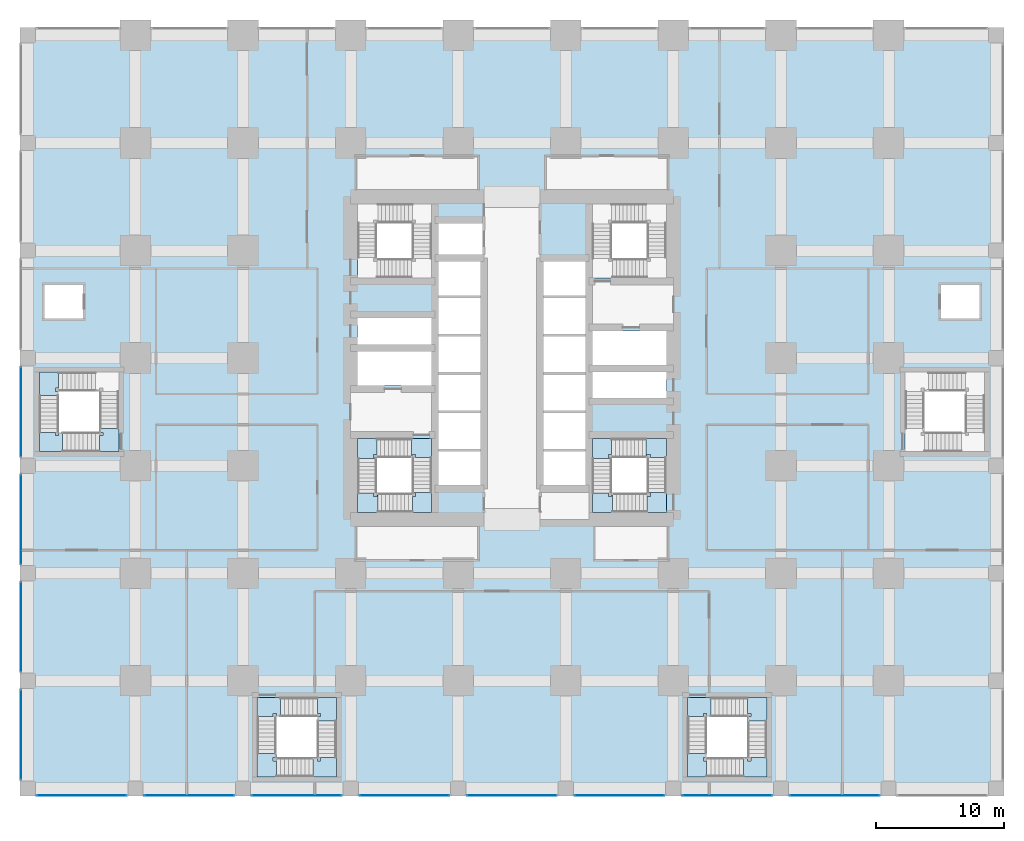
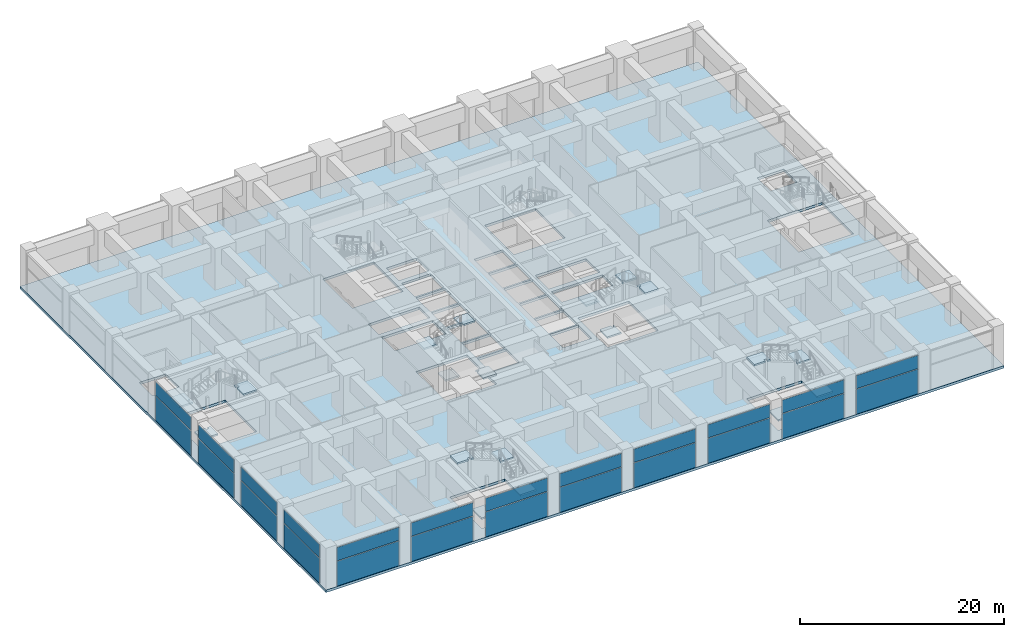
# One storey, part 34 of 49: 24 plates, 20 slabs, 17 elements without a shape of their own.
"""IFC4 building model written with IfcOpenShell, lengths in metres."""

from ifc_helpers import new_model, si_unit, direction, frame, origin, origin_2d, place, context, subcontext, project, spatial, polyline, rectangle, outline, extrude, material, layer, layer_set, type_object, element, aggregate, save


model = new_model("IFC4")

# Units and contexts
model_context = context("Model", 3, precision=1e-05, world=origin(), true_north=direction((0.0, 1.0)))
body_context = subcontext(model_context, "Body", "Model", "MODEL_VIEW")
ifc_project = project(units=[si_unit("LENGTHUNIT", "METRE"), si_unit("AREAUNIT", "SQUARE_METRE"), si_unit("VOLUMEUNIT", "CUBIC_METRE"), si_unit("PLANEANGLEUNIT", "RADIAN"), si_unit("MASSUNIT", "GRAM", prefix="KILO")], contexts=[model_context])

# Site, building, storey
site_placement = place(None, origin())
site = spatial("IfcSite", under=ifc_project, at=site_placement, CompositionType="ELEMENT")
building_placement = place(site_placement, origin())
building = spatial("IfcBuilding", under=site, at=building_placement, Name="Rekha Terrace Tower", CompositionType="ELEMENT")
storey_placement = place(building_placement, frame((0.0, 0.0, 5.39990234375)))
storey = spatial("IfcBuildingStorey", under=building, at=storey_placement, Name="L01", CompositionType="ELEMENT", Elevation=5.39990234375)

# Curtain wall, plates
ifc_material_1 = material(Name="Aluminium framing", Category="aluminium")
curtain_wall_type = type_object("IfcCurtainWallType", Name="CW4 podium shopfront glazing", PredefinedType="USERDEFINED", material=ifc_material_1)
curtain_wall_1_placement = place(storey_placement, origin())
curtain_wall_1 = element("IfcCurtainWall", 1, at=curtain_wall_1_placement, inside=storey, type_object=curtain_wall_type, Name="CW4 shopfront curtain wall", ObjectType="SHOPFRONT CURTAIN WALL", PredefinedType="USERDEFINED")
ifc_material_2 = material(Name="Laminated double-glazed unit 30", Category="glass")
ifc_layer_1 = layer(ifc_material_2, 0.030029296875)
ifc_layer_set_1 = layer_set([ifc_layer_1], Name="Laminated double-glazed unit 30")
plate_type = type_object("IfcPlateType", Name="CW4 jumbo vision panel, laminated double-glazed unit 30", PredefinedType="CURTAIN_PANEL", material=ifc_layer_set_1)
plate_1_placement = place(storey_placement, frame((4.199951171875, -0.5400390625, 0.000244140625), z_axis=(0.0, 0.0, 1.0), x_axis=(1.0, 0.0, 0.0)))
plate_1 = element("IfcPlate", 2, at=plate_1_placement, type_object=plate_type, Name="CW4 panel 1.1", PredefinedType="CURTAIN_PANEL", context=body_context, shape_type="SweptSolid", body=[
    extrude(rectangle(XDim=7.010009765625, YDim=0.030029296875, at=origin_2d()), origin(), (0.0, 0.0, 1.0), 2.96240234375),
])
plate_2_placement = place(storey_placement, frame((4.199951171875, -0.5400390625, 3.03759765625), z_axis=(0.0, 0.0, 1.0), x_axis=(1.0, 0.0, 0.0)))
plate_2 = element("IfcPlate", 3, at=plate_2_placement, type_object=plate_type, Name="CW4 panel 1.2", PredefinedType="CURTAIN_PANEL", context=body_context, shape_type="SweptSolid", body=[
    extrude(rectangle(XDim=7.010009765625, YDim=0.030029296875, at=origin_2d()), origin(), (0.0, 0.0, 1.0), 1.58740234375),
])
aggregate(curtain_wall_1, [plate_1, plate_2])

curtain_wall_2_placement = place(storey_placement, origin())
curtain_wall_2 = element("IfcCurtainWall", 4, at=curtain_wall_2_placement, inside=storey, type_object=curtain_wall_type, Name="CW4 shopfront curtain wall", ObjectType="SHOPFRONT CURTAIN WALL", PredefinedType="USERDEFINED")
plate_3_placement = place(storey_placement, frame((12.60009765625, -0.5400390625, 0.000244140625), z_axis=(0.0, 0.0, 1.0), x_axis=(1.0, 0.0, 0.0)))
plate_3 = element("IfcPlate", 5, at=plate_3_placement, type_object=plate_type, Name="CW4 panel 1.1", PredefinedType="CURTAIN_PANEL", context=body_context, shape_type="SweptSolid", body=[
    extrude(rectangle(XDim=7.010009765625, YDim=0.030029296875, at=origin_2d()), origin(), (0.0, 0.0, 1.0), 2.96240234375),
])
plate_4_placement = place(storey_placement, frame((12.60009765625, -0.5400390625, 3.03759765625), z_axis=(0.0, 0.0, 1.0), x_axis=(1.0, 0.0, 0.0)))
plate_4 = element("IfcPlate", 6, at=plate_4_placement, type_object=plate_type, Name="CW4 panel 1.2", PredefinedType="CURTAIN_PANEL", context=body_context, shape_type="SweptSolid", body=[
    extrude(rectangle(XDim=7.010009765625, YDim=0.030029296875, at=origin_2d()), origin(), (0.0, 0.0, 1.0), 1.58740234375),
])
aggregate(curtain_wall_2, [plate_3, plate_4])

curtain_wall_3_placement = place(storey_placement, origin())
curtain_wall_3 = element("IfcCurtainWall", 7, at=curtain_wall_3_placement, inside=storey, type_object=curtain_wall_type, Name="CW4 shopfront curtain wall", ObjectType="SHOPFRONT CURTAIN WALL", PredefinedType="USERDEFINED")
plate_5_placement = place(storey_placement, frame((21.0, -0.5400390625, 0.000244140625), z_axis=(0.0, 0.0, 1.0), x_axis=(1.0, 0.0, 0.0)))
plate_5 = element("IfcPlate", 8, at=plate_5_placement, type_object=plate_type, Name="CW4 panel 1.1", PredefinedType="CURTAIN_PANEL", context=body_context, shape_type="SweptSolid", body=[
    extrude(rectangle(XDim=7.010009765625, YDim=0.030029296875, at=origin_2d()), origin(), (0.0, 0.0, 1.0), 2.96240234375),
])
plate_6_placement = place(storey_placement, frame((21.0, -0.5400390625, 3.03759765625), z_axis=(0.0, 0.0, 1.0), x_axis=(1.0, 0.0, 0.0)))
plate_6 = element("IfcPlate", 9, at=plate_6_placement, type_object=plate_type, Name="CW4 panel 1.2", PredefinedType="CURTAIN_PANEL", context=body_context, shape_type="SweptSolid", body=[
    extrude(rectangle(XDim=7.010009765625, YDim=0.030029296875, at=origin_2d()), origin(), (0.0, 0.0, 1.0), 1.58740234375),
])
aggregate(curtain_wall_3, [plate_5, plate_6])

curtain_wall_4_placement = place(storey_placement, origin())
curtain_wall_4 = element("IfcCurtainWall", 10, at=curtain_wall_4_placement, inside=storey, type_object=curtain_wall_type, Name="CW4 shopfront curtain wall", ObjectType="SHOPFRONT CURTAIN WALL", PredefinedType="USERDEFINED")
plate_7_placement = place(storey_placement, frame((29.39990234375, -0.5400390625, 0.000244140625), z_axis=(0.0, 0.0, 1.0), x_axis=(1.0, 0.0, 0.0)))
plate_7 = element("IfcPlate", 11, at=plate_7_placement, type_object=plate_type, Name="CW4 panel 1.1", PredefinedType="CURTAIN_PANEL", context=body_context, shape_type="SweptSolid", body=[
    extrude(rectangle(XDim=7.010009765625, YDim=0.030029296875, at=origin_2d()), origin(), (0.0, 0.0, 1.0), 2.96240234375),
])
plate_8_placement = place(storey_placement, frame((29.39990234375, -0.5400390625, 3.03759765625), z_axis=(0.0, 0.0, 1.0), x_axis=(1.0, 0.0, 0.0)))
plate_8 = element("IfcPlate", 12, at=plate_8_placement, type_object=plate_type, Name="CW4 panel 1.2", PredefinedType="CURTAIN_PANEL", context=body_context, shape_type="SweptSolid", body=[
    extrude(rectangle(XDim=7.010009765625, YDim=0.030029296875, at=origin_2d()), origin(), (0.0, 0.0, 1.0), 1.58740234375),
])
aggregate(curtain_wall_4, [plate_7, plate_8])

curtain_wall_5_placement = place(storey_placement, origin())
curtain_wall_5 = element("IfcCurtainWall", 13, at=curtain_wall_5_placement, inside=storey, type_object=curtain_wall_type, Name="CW4 shopfront curtain wall", ObjectType="SHOPFRONT CURTAIN WALL", PredefinedType="USERDEFINED")
plate_9_placement = place(storey_placement, frame((37.800048828125, -0.5400390625, 0.000244140625), z_axis=(0.0, 0.0, 1.0), x_axis=(1.0, 0.0, 0.0)))
plate_9 = element("IfcPlate", 14, at=plate_9_placement, type_object=plate_type, Name="CW4 panel 1.1", PredefinedType="CURTAIN_PANEL", context=body_context, shape_type="SweptSolid", body=[
    extrude(rectangle(XDim=7.010009765625, YDim=0.030029296875, at=origin_2d()), origin(), (0.0, 0.0, 1.0), 2.96240234375),
])
plate_10_placement = place(storey_placement, frame((37.800048828125, -0.5400390625, 3.03759765625), z_axis=(0.0, 0.0, 1.0), x_axis=(1.0, 0.0, 0.0)))
plate_10 = element("IfcPlate", 15, at=plate_10_placement, type_object=plate_type, Name="CW4 panel 1.2", PredefinedType="CURTAIN_PANEL", context=body_context, shape_type="SweptSolid", body=[
    extrude(rectangle(XDim=7.010009765625, YDim=0.030029296875, at=origin_2d()), origin(), (0.0, 0.0, 1.0), 1.58740234375),
])
aggregate(curtain_wall_5, [plate_9, plate_10])

curtain_wall_6_placement = place(storey_placement, origin())
curtain_wall_6 = element("IfcCurtainWall", 16, at=curtain_wall_6_placement, inside=storey, type_object=curtain_wall_type, Name="CW4 shopfront curtain wall", ObjectType="SHOPFRONT CURTAIN WALL", PredefinedType="USERDEFINED")
plate_11_placement = place(storey_placement, frame((46.199951171875, -0.5400390625, 0.000244140625), z_axis=(0.0, 0.0, 1.0), x_axis=(1.0, 0.0, 0.0)))
plate_11 = element("IfcPlate", 17, at=plate_11_placement, type_object=plate_type, Name="CW4 panel 1.1", PredefinedType="CURTAIN_PANEL", context=body_context, shape_type="SweptSolid", body=[
    extrude(rectangle(XDim=7.010009765625, YDim=0.030029296875, at=origin_2d()), origin(), (0.0, 0.0, 1.0), 2.96240234375),
])
plate_12_placement = place(storey_placement, frame((46.199951171875, -0.5400390625, 3.03759765625), z_axis=(0.0, 0.0, 1.0), x_axis=(1.0, 0.0, 0.0)))
plate_12 = element("IfcPlate", 18, at=plate_12_placement, type_object=plate_type, Name="CW4 panel 1.2", PredefinedType="CURTAIN_PANEL", context=body_context, shape_type="SweptSolid", body=[
    extrude(rectangle(XDim=7.010009765625, YDim=0.030029296875, at=origin_2d()), origin(), (0.0, 0.0, 1.0), 1.58740234375),
])
aggregate(curtain_wall_6, [plate_11, plate_12])

curtain_wall_7_placement = place(storey_placement, origin())
curtain_wall_7 = element("IfcCurtainWall", 19, at=curtain_wall_7_placement, inside=storey, type_object=curtain_wall_type, Name="CW4 shopfront curtain wall", ObjectType="SHOPFRONT CURTAIN WALL", PredefinedType="USERDEFINED")
plate_13_placement = place(storey_placement, frame((54.60009765625, -0.5400390625, 0.000244140625), z_axis=(0.0, 0.0, 1.0), x_axis=(1.0, 0.0, 0.0)))
plate_13 = element("IfcPlate", 20, at=plate_13_placement, type_object=plate_type, Name="CW4 panel 1.1", PredefinedType="CURTAIN_PANEL", context=body_context, shape_type="SweptSolid", body=[
    extrude(rectangle(XDim=7.010009765625, YDim=0.030029296875, at=origin_2d()), origin(), (0.0, 0.0, 1.0), 2.96240234375),
])
plate_14_placement = place(storey_placement, frame((54.60009765625, -0.5400390625, 3.03759765625), z_axis=(0.0, 0.0, 1.0), x_axis=(1.0, 0.0, 0.0)))
plate_14 = element("IfcPlate", 21, at=plate_14_placement, type_object=plate_type, Name="CW4 panel 1.2", PredefinedType="CURTAIN_PANEL", context=body_context, shape_type="SweptSolid", body=[
    extrude(rectangle(XDim=7.010009765625, YDim=0.030029296875, at=origin_2d()), origin(), (0.0, 0.0, 1.0), 1.58740234375),
])
aggregate(curtain_wall_7, [plate_13, plate_14])

curtain_wall_8_placement = place(storey_placement, origin())
curtain_wall_8 = element("IfcCurtainWall", 22, at=curtain_wall_8_placement, inside=storey, type_object=curtain_wall_type, Name="CW4 shopfront curtain wall", ObjectType="SHOPFRONT CURTAIN WALL", PredefinedType="USERDEFINED")
plate_15_placement = place(storey_placement, frame((63.0, -0.5400390625, 0.000244140625), z_axis=(0.0, 0.0, 1.0), x_axis=(1.0, 0.0, 0.0)))
plate_15 = element("IfcPlate", 23, at=plate_15_placement, type_object=plate_type, Name="CW4 panel 1.1", PredefinedType="CURTAIN_PANEL", context=body_context, shape_type="SweptSolid", body=[
    extrude(rectangle(XDim=7.010009765625, YDim=0.030029296875, at=origin_2d()), origin(), (0.0, 0.0, 1.0), 2.96240234375),
])
plate_16_placement = place(storey_placement, frame((63.0, -0.5400390625, 3.03759765625), z_axis=(0.0, 0.0, 1.0), x_axis=(1.0, 0.0, 0.0)))
plate_16 = element("IfcPlate", 24, at=plate_16_placement, type_object=plate_type, Name="CW4 panel 1.2", PredefinedType="CURTAIN_PANEL", context=body_context, shape_type="SweptSolid", body=[
    extrude(rectangle(XDim=7.010009765625, YDim=0.030029296875, at=origin_2d()), origin(), (0.0, 0.0, 1.0), 1.58740234375),
])
aggregate(curtain_wall_8, [plate_15, plate_16])

curtain_wall_9_placement = place(storey_placement, origin())
curtain_wall_9 = element("IfcCurtainWall", 25, at=curtain_wall_9_placement, inside=storey, type_object=curtain_wall_type, Name="CW4 shopfront curtain wall", ObjectType="SHOPFRONT CURTAIN WALL", PredefinedType="USERDEFINED")
plate_17_placement = place(storey_placement, frame((-0.5400390625, 29.39990234375, 0.000244140625), z_axis=(0.0, 0.0, 1.0), x_axis=(0.0, -1.0, 0.0)))
plate_17 = element("IfcPlate", 26, at=plate_17_placement, type_object=plate_type, Name="CW4 panel 1.1", PredefinedType="CURTAIN_PANEL", context=body_context, shape_type="SweptSolid", body=[
    extrude(rectangle(XDim=7.010009765625, YDim=0.030029296875, at=origin_2d()), origin(), (0.0, 0.0, 1.0), 2.96240234375),
])
plate_18_placement = place(storey_placement, frame((-0.5400390625, 29.39990234375, 3.03759765625), z_axis=(0.0, 0.0, 1.0), x_axis=(0.0, -1.0, 0.0)))
plate_18 = element("IfcPlate", 27, at=plate_18_placement, type_object=plate_type, Name="CW4 panel 1.2", PredefinedType="CURTAIN_PANEL", context=body_context, shape_type="SweptSolid", body=[
    extrude(rectangle(XDim=7.010009765625, YDim=0.030029296875, at=origin_2d()), origin(), (0.0, 0.0, 1.0), 1.58740234375),
])
aggregate(curtain_wall_9, [plate_17, plate_18])

curtain_wall_10_placement = place(storey_placement, origin())
curtain_wall_10 = element("IfcCurtainWall", 28, at=curtain_wall_10_placement, inside=storey, type_object=curtain_wall_type, Name="CW4 shopfront curtain wall", ObjectType="SHOPFRONT CURTAIN WALL", PredefinedType="USERDEFINED")
plate_19_placement = place(storey_placement, frame((-0.5400390625, 21.0, 0.000244140625), z_axis=(0.0, 0.0, 1.0), x_axis=(0.0, -1.0, 0.0)))
plate_19 = element("IfcPlate", 29, at=plate_19_placement, type_object=plate_type, Name="CW4 panel 1.1", PredefinedType="CURTAIN_PANEL", context=body_context, shape_type="SweptSolid", body=[
    extrude(rectangle(XDim=7.010009765625, YDim=0.030029296875, at=origin_2d()), origin(), (0.0, 0.0, 1.0), 2.96240234375),
])
plate_20_placement = place(storey_placement, frame((-0.5400390625, 21.0, 3.03759765625), z_axis=(0.0, 0.0, 1.0), x_axis=(0.0, -1.0, 0.0)))
plate_20 = element("IfcPlate", 30, at=plate_20_placement, type_object=plate_type, Name="CW4 panel 1.2", PredefinedType="CURTAIN_PANEL", context=body_context, shape_type="SweptSolid", body=[
    extrude(rectangle(XDim=7.010009765625, YDim=0.030029296875, at=origin_2d()), origin(), (0.0, 0.0, 1.0), 1.58740234375),
])
aggregate(curtain_wall_10, [plate_19, plate_20])

curtain_wall_11_placement = place(storey_placement, origin())
curtain_wall_11 = element("IfcCurtainWall", 31, at=curtain_wall_11_placement, inside=storey, type_object=curtain_wall_type, Name="CW4 shopfront curtain wall", ObjectType="SHOPFRONT CURTAIN WALL", PredefinedType="USERDEFINED")
plate_21_placement = place(storey_placement, frame((-0.5400390625, 12.60009765625, 0.000244140625), z_axis=(0.0, 0.0, 1.0), x_axis=(0.0, -1.0, 0.0)))
plate_21 = element("IfcPlate", 32, at=plate_21_placement, type_object=plate_type, Name="CW4 panel 1.1", PredefinedType="CURTAIN_PANEL", context=body_context, shape_type="SweptSolid", body=[
    extrude(rectangle(XDim=7.010009765625, YDim=0.030029296875, at=origin_2d()), origin(), (0.0, 0.0, 1.0), 2.96240234375),
])
plate_22_placement = place(storey_placement, frame((-0.5400390625, 12.60009765625, 3.03759765625), z_axis=(0.0, 0.0, 1.0), x_axis=(0.0, -1.0, 0.0)))
plate_22 = element("IfcPlate", 33, at=plate_22_placement, type_object=plate_type, Name="CW4 panel 1.2", PredefinedType="CURTAIN_PANEL", context=body_context, shape_type="SweptSolid", body=[
    extrude(rectangle(XDim=7.010009765625, YDim=0.030029296875, at=origin_2d()), origin(), (0.0, 0.0, 1.0), 1.58740234375),
])
aggregate(curtain_wall_11, [plate_21, plate_22])

curtain_wall_12_placement = place(storey_placement, origin())
curtain_wall_12 = element("IfcCurtainWall", 34, at=curtain_wall_12_placement, inside=storey, type_object=curtain_wall_type, Name="CW4 shopfront curtain wall", ObjectType="SHOPFRONT CURTAIN WALL", PredefinedType="USERDEFINED")
plate_23_placement = place(storey_placement, frame((-0.5400390625, 4.199951171875, 0.000244140625), z_axis=(0.0, 0.0, 1.0), x_axis=(0.0, -1.0, 0.0)))
plate_23 = element("IfcPlate", 35, at=plate_23_placement, type_object=plate_type, Name="CW4 panel 1.1", PredefinedType="CURTAIN_PANEL", context=body_context, shape_type="SweptSolid", body=[
    extrude(rectangle(XDim=7.010009765625, YDim=0.030029296875, at=origin_2d()), origin(), (0.0, 0.0, 1.0), 2.96240234375),
])
plate_24_placement = place(storey_placement, frame((-0.5400390625, 4.199951171875, 3.03759765625), z_axis=(0.0, 0.0, 1.0), x_axis=(0.0, -1.0, 0.0)))
plate_24 = element("IfcPlate", 36, at=plate_24_placement, type_object=plate_type, Name="CW4 panel 1.2", PredefinedType="CURTAIN_PANEL", context=body_context, shape_type="SweptSolid", body=[
    extrude(rectangle(XDim=7.010009765625, YDim=0.030029296875, at=origin_2d()), origin(), (0.0, 0.0, 1.0), 1.58740234375),
])
aggregate(curtain_wall_12, [plate_23, plate_24])

# Stair, slabs
ifc_material_3 = material(Name="Concrete M40", Category="concrete")
stair_type_1 = type_object("IfcStairType", Name="ST40 stair, 40 risers of 125, going 320, 1500 wide flights, 4 flights", PredefinedType="QUARTER_TURN_STAIR", material=ifc_material_3)
stair_1_placement = place(storey_placement, origin())
stair_1 = element("IfcStair", 37, at=stair_1_placement, inside=storey, type_object=stair_type_1, Name="Stair SP1 L01 to L02", PredefinedType="QUARTER_TURN_STAIR")
ifc_layer_2 = layer(ifc_material_3, 0.199951171875)
ifc_layer_set_2 = layer_set([ifc_layer_2], Name="Concrete M40")
slab_type_1 = type_object("IfcSlabType", Name="LD1 200 concrete stair landing", PredefinedType="LANDING", material=ifc_layer_set_2)
slab_1_placement = place(storey_placement, frame((0.0, 0.0, 1.050048828125)))
slab_1 = element("IfcSlab", 38, at=slab_1_placement, type_object=slab_type_1, Name="SP1 landing 1", PredefinedType="LANDING", context=body_context, shape_type="SweptSolid", body=[
    extrude(outline(polyline([(0.89990234375, 27.800048828125), (0.89990234375, 26.300048828125), (2.719970703125, 26.300048828125), (2.719970703125, 27.800048828125), (2.39990234375, 27.800048828125), (2.39990234375, 27.550048828125), (2.14990234375, 27.550048828125), (2.14990234375, 27.800048828125), (0.89990234375, 27.800048828125)])), origin(), (0.0, 0.0, 1.0), 0.199951171875),
])
slab_2_placement = place(storey_placement, frame((0.0, 0.0, 2.300048828125)))
slab_2 = element("IfcSlab", 39, at=slab_2_placement, type_object=slab_type_1, Name="SP1 landing 2", PredefinedType="LANDING", context=body_context, shape_type="SweptSolid", body=[
    extrude(outline(polyline([(2.39990234375, 32.5), (0.89990234375, 32.5), (0.89990234375, 30.679931640625), (2.39990234375, 30.679931640625), (2.39990234375, 31.0), (2.14990234375, 31.0), (2.14990234375, 31.25), (2.39990234375, 31.25), (2.39990234375, 32.5)])), origin(), (0.0, 0.0, 1.0), 0.199951171875),
])
slab_3_placement = place(storey_placement, frame((0.0, 0.0, 4.800048828125)))
slab_3 = element("IfcSlab", 40, at=slab_3_placement, type_object=slab_type_1, Name="SP1 landing 4", PredefinedType="LANDING", context=body_context, shape_type="SweptSolid", body=[
    extrude(outline(polyline([(5.60009765625, 26.300048828125), (7.10009765625, 26.300048828125), (7.10009765625, 28.1201171875), (5.60009765625, 28.1201171875), (5.60009765625, 27.800048828125), (5.85009765625, 27.800048828125), (5.85009765625, 27.550048828125), (5.60009765625, 27.550048828125), (5.60009765625, 26.300048828125)])), origin(), (0.0, 0.0, 1.0), 0.199951171875),
])
aggregate(stair_1, [slab_1, slab_2, slab_3])

stair_2_placement = place(storey_placement, origin())
stair_2 = element("IfcStair", 41, at=stair_2_placement, inside=storey, type_object=stair_type_1, Name="Stair SP3 L01 to L02", PredefinedType="QUARTER_TURN_STAIR")
slab_4_placement = place(storey_placement, frame((0.0, 0.0, 1.050048828125)))
slab_4 = element("IfcSlab", 42, at=slab_4_placement, type_object=slab_type_1, Name="SP3 landing 1", PredefinedType="LANDING", context=body_context, shape_type="SweptSolid", body=[
    extrude(outline(polyline([(19.39990234375, 0.89990234375), (17.89990234375, 0.89990234375), (17.89990234375, 2.719970703125), (19.39990234375, 2.719970703125), (19.39990234375, 2.39990234375), (19.14990234375, 2.39990234375), (19.14990234375, 2.14990234375), (19.39990234375, 2.14990234375), (19.39990234375, 0.89990234375)])), origin(), (0.0, 0.0, 1.0), 0.199951171875),
])
slab_5_placement = place(storey_placement, frame((0.0, 0.0, 2.300048828125)))
slab_5 = element("IfcSlab", 43, at=slab_5_placement, type_object=slab_type_1, Name="SP3 landing 2", PredefinedType="LANDING", context=body_context, shape_type="SweptSolid", body=[
    extrude(outline(polyline([(24.10009765625, 2.39990234375), (24.10009765625, 0.89990234375), (22.280029296875, 0.89990234375), (22.280029296875, 2.39990234375), (22.60009765625, 2.39990234375), (22.60009765625, 2.14990234375), (22.85009765625, 2.14990234375), (22.85009765625, 2.39990234375), (24.10009765625, 2.39990234375)])), origin(), (0.0, 0.0, 1.0), 0.199951171875),
])
slab_6_placement = place(storey_placement, frame((0.0, 0.0, 3.550048828125)))
slab_6 = element("IfcSlab", 44, at=slab_6_placement, type_object=slab_type_1, Name="SP3 landing 3", PredefinedType="LANDING", context=body_context, shape_type="SweptSolid", body=[
    extrude(outline(polyline([(22.60009765625, 7.10009765625), (24.10009765625, 7.10009765625), (24.10009765625, 5.280029296875), (22.60009765625, 5.280029296875), (22.60009765625, 5.60009765625), (22.85009765625, 5.60009765625), (22.85009765625, 5.85009765625), (22.60009765625, 5.85009765625), (22.60009765625, 7.10009765625)])), origin(), (0.0, 0.0, 1.0), 0.199951171875),
])
slab_7_placement = place(storey_placement, frame((0.0, 0.0, 4.800048828125)))
slab_7 = element("IfcSlab", 45, at=slab_7_placement, type_object=slab_type_1, Name="SP3 landing 4", PredefinedType="LANDING", context=body_context, shape_type="SweptSolid", body=[
    extrude(outline(polyline([(17.89990234375, 5.60009765625), (17.89990234375, 7.10009765625), (19.719970703125, 7.10009765625), (19.719970703125, 5.60009765625), (19.39990234375, 5.60009765625), (19.39990234375, 5.85009765625), (19.14990234375, 5.85009765625), (19.14990234375, 5.60009765625), (17.89990234375, 5.60009765625)])), origin(), (0.0, 0.0, 1.0), 0.199951171875),
])
aggregate(stair_2, [slab_4, slab_5, slab_6, slab_7])

stair_3_placement = place(storey_placement, origin())
stair_3 = element("IfcStair", 46, at=stair_3_placement, inside=storey, type_object=stair_type_1, Name="Stair SP4 L01 to L02", PredefinedType="QUARTER_TURN_STAIR")
slab_8_placement = place(storey_placement, frame((0.0, 0.0, 1.050048828125)))
slab_8 = element("IfcSlab", 47, at=slab_8_placement, type_object=slab_type_1, Name="SP4 landing 1", PredefinedType="LANDING", context=body_context, shape_type="SweptSolid", body=[
    extrude(outline(polyline([(53.0, 0.89990234375), (51.5, 0.89990234375), (51.5, 2.719970703125), (53.0, 2.719970703125), (53.0, 2.39990234375), (52.75, 2.39990234375), (52.75, 2.14990234375), (53.0, 2.14990234375), (53.0, 0.89990234375)])), origin(), (0.0, 0.0, 1.0), 0.199951171875),
])
slab_9_placement = place(storey_placement, frame((0.0, 0.0, 2.300048828125)))
slab_9 = element("IfcSlab", 48, at=slab_9_placement, type_object=slab_type_1, Name="SP4 landing 2", PredefinedType="LANDING", context=body_context, shape_type="SweptSolid", body=[
    extrude(outline(polyline([(57.699951171875, 2.39990234375), (57.699951171875, 0.89990234375), (55.8798828125, 0.89990234375), (55.8798828125, 2.39990234375), (56.199951171875, 2.39990234375), (56.199951171875, 2.14990234375), (56.449951171875, 2.14990234375), (56.449951171875, 2.39990234375), (57.699951171875, 2.39990234375)])), origin(), (0.0, 0.0, 1.0), 0.199951171875),
])
slab_10_placement = place(storey_placement, frame((0.0, 0.0, 3.550048828125)))
slab_10 = element("IfcSlab", 49, at=slab_10_placement, type_object=slab_type_1, Name="SP4 landing 3", PredefinedType="LANDING", context=body_context, shape_type="SweptSolid", body=[
    extrude(outline(polyline([(56.199951171875, 7.10009765625), (57.699951171875, 7.10009765625), (57.699951171875, 5.280029296875), (56.199951171875, 5.280029296875), (56.199951171875, 5.60009765625), (56.449951171875, 5.60009765625), (56.449951171875, 5.85009765625), (56.199951171875, 5.85009765625), (56.199951171875, 7.10009765625)])), origin(), (0.0, 0.0, 1.0), 0.199951171875),
])
slab_11_placement = place(storey_placement, frame((0.0, 0.0, 4.800048828125)))
slab_11 = element("IfcSlab", 50, at=slab_11_placement, type_object=slab_type_1, Name="SP4 landing 4", PredefinedType="LANDING", context=body_context, shape_type="SweptSolid", body=[
    extrude(outline(polyline([(51.5, 5.60009765625), (51.5, 7.10009765625), (53.320068359375, 7.10009765625), (53.320068359375, 5.60009765625), (53.0, 5.60009765625), (53.0, 5.85009765625), (52.75, 5.85009765625), (52.75, 5.60009765625), (51.5, 5.60009765625)])), origin(), (0.0, 0.0, 1.0), 0.199951171875),
])
aggregate(stair_3, [slab_8, slab_9, slab_10, slab_11])

stair_type_2 = type_object("IfcStairType", Name="ST40 stair, 40 risers of 125, going 300, 1500 wide flights, 4 flights", PredefinedType="QUARTER_TURN_STAIR", material=ifc_material_3)
stair_4_placement = place(storey_placement, origin())
stair_4 = element("IfcStair", 51, at=stair_4_placement, inside=storey, type_object=stair_type_2, Name="Stair ST1 L01 to L02", PredefinedType="QUARTER_TURN_STAIR")
slab_12_placement = place(storey_placement, frame((0.0, 0.0, 1.050048828125)))
slab_12 = element("IfcSlab", 52, at=slab_12_placement, type_object=slab_type_1, Name="ST1 landing 1", PredefinedType="LANDING", context=body_context, shape_type="SweptSolid", body=[
    extrude(outline(polyline([(30.02490234375, 21.550048828125), (31.52490234375, 21.550048828125), (31.52490234375, 23.125), (30.02490234375, 23.125), (30.02490234375, 23.050048828125), (30.27490234375, 23.050048828125), (30.27490234375, 22.800048828125), (30.02490234375, 22.800048828125), (30.02490234375, 21.550048828125)])), origin(), (0.0, 0.0, 1.0), 0.199951171875),
])
slab_13_placement = place(storey_placement, frame((0.0, 0.0, 2.300048828125)))
slab_13 = element("IfcSlab", 53, at=slab_13_placement, type_object=slab_type_1, Name="ST1 landing 2", PredefinedType="LANDING", context=body_context, shape_type="SweptSolid", body=[
    extrude(outline(polyline([(25.75, 23.050048828125), (25.75, 21.550048828125), (27.324951171875, 21.550048828125), (27.324951171875, 23.050048828125), (27.25, 23.050048828125), (27.25, 22.800048828125), (27.0, 22.800048828125), (27.0, 23.050048828125), (25.75, 23.050048828125)])), origin(), (0.0, 0.0, 1.0), 0.199951171875),
])
slab_14_placement = place(storey_placement, frame((0.0, 0.0, 3.550048828125)))
slab_14 = element("IfcSlab", 54, at=slab_14_placement, type_object=slab_type_1, Name="ST1 landing 3", PredefinedType="LANDING", context=body_context, shape_type="SweptSolid", body=[
    extrude(outline(polyline([(27.25, 27.324951171875), (25.75, 27.324951171875), (25.75, 25.75), (27.25, 25.75), (27.25, 25.824951171875), (27.0, 25.824951171875), (27.0, 26.074951171875), (27.25, 26.074951171875), (27.25, 27.324951171875)])), origin(), (0.0, 0.0, 1.0), 0.199951171875),
])
slab_15_placement = place(storey_placement, frame((0.0, 0.0, 4.800048828125)))
slab_15 = element("IfcSlab", 55, at=slab_15_placement, type_object=slab_type_1, Name="ST1 landing 4", PredefinedType="LANDING", context=body_context, shape_type="SweptSolid", body=[
    extrude(outline(polyline([(31.52490234375, 25.824951171875), (31.52490234375, 27.324951171875), (29.949951171875, 27.324951171875), (29.949951171875, 25.824951171875), (30.02490234375, 25.824951171875), (30.02490234375, 26.074951171875), (30.27490234375, 26.074951171875), (30.27490234375, 25.824951171875), (31.52490234375, 25.824951171875)])), origin(), (0.0, 0.0, 1.0), 0.199951171875),
])
aggregate(stair_4, [slab_12, slab_13, slab_14, slab_15])

stair_5_placement = place(storey_placement, origin())
stair_5 = element("IfcStair", 56, at=stair_5_placement, inside=storey, type_object=stair_type_2, Name="Stair ST3 L01 to L02", PredefinedType="QUARTER_TURN_STAIR")
slab_16_placement = place(storey_placement, frame((0.0, 0.0, 1.050048828125)))
slab_16 = element("IfcSlab", 57, at=slab_16_placement, type_object=slab_type_1, Name="ST3 landing 1", PredefinedType="LANDING", context=body_context, shape_type="SweptSolid", body=[
    extrude(outline(polyline([(44.074951171875, 23.050048828125), (44.074951171875, 21.550048828125), (45.64990234375, 21.550048828125), (45.64990234375, 23.050048828125), (45.574951171875, 23.050048828125), (45.574951171875, 22.800048828125), (45.324951171875, 22.800048828125), (45.324951171875, 23.050048828125), (44.074951171875, 23.050048828125)])), origin(), (0.0, 0.0, 1.0), 0.199951171875),
])
slab_17_placement = place(storey_placement, frame((0.0, 0.0, 2.300048828125)))
slab_17 = element("IfcSlab", 58, at=slab_17_placement, type_object=slab_type_1, Name="ST3 landing 2", PredefinedType="LANDING", context=body_context, shape_type="SweptSolid", body=[
    extrude(outline(polyline([(45.574951171875, 27.324951171875), (44.074951171875, 27.324951171875), (44.074951171875, 25.75), (45.574951171875, 25.75), (45.574951171875, 25.824951171875), (45.324951171875, 25.824951171875), (45.324951171875, 26.074951171875), (45.574951171875, 26.074951171875), (45.574951171875, 27.324951171875)])), origin(), (0.0, 0.0, 1.0), 0.199951171875),
])
slab_18_placement = place(storey_placement, frame((0.0, 0.0, 3.550048828125)))
slab_18 = element("IfcSlab", 59, at=slab_18_placement, type_object=slab_type_1, Name="ST3 landing 3", PredefinedType="LANDING", context=body_context, shape_type="SweptSolid", body=[
    extrude(outline(polyline([(49.85009765625, 25.824951171875), (49.85009765625, 27.324951171875), (48.27490234375, 27.324951171875), (48.27490234375, 25.824951171875), (48.35009765625, 25.824951171875), (48.35009765625, 26.074951171875), (48.60009765625, 26.074951171875), (48.60009765625, 25.824951171875), (49.85009765625, 25.824951171875)])), origin(), (0.0, 0.0, 1.0), 0.199951171875),
])
slab_19_placement = place(storey_placement, frame((0.0, 0.0, 4.800048828125)))
slab_19 = element("IfcSlab", 60, at=slab_19_placement, type_object=slab_type_1, Name="ST3 landing 4", PredefinedType="LANDING", context=body_context, shape_type="SweptSolid", body=[
    extrude(outline(polyline([(48.35009765625, 21.550048828125), (49.85009765625, 21.550048828125), (49.85009765625, 23.125), (48.35009765625, 23.125), (48.35009765625, 23.050048828125), (48.60009765625, 23.050048828125), (48.60009765625, 22.800048828125), (48.35009765625, 22.800048828125), (48.35009765625, 21.550048828125)])), origin(), (0.0, 0.0, 1.0), 0.199951171875),
])
aggregate(stair_5, [slab_16, slab_17, slab_18, slab_19])

# Slab
ifc_material_4 = material(Name="Concrete M50", Category="concrete")
ifc_layer_3 = layer(ifc_material_4, 0.300048828125)
ifc_layer_set_3 = layer_set([ifc_layer_3], Name="Concrete M50")
slab_type_2 = type_object("IfcSlabType", Name="SL2 300 podium floor slab", PredefinedType="FLOOR", material=ifc_layer_set_3)
slab_20_placement = place(storey_placement, frame((0.0, 0.0, -0.2998046875)))
element("IfcSlab", 61, at=slab_20_placement, inside=storey, type_object=slab_type_2, Name="Podium floor slab L01", PredefinedType="FLOOR", context=body_context, shape_type="SweptSolid", body=[
    extrude(outline(polyline([(-0.60009765625, 59.39990234375), (-0.60009765625, -0.60009765625), (76.199951171875, -0.60009765625), (76.199951171875, 59.39990234375), (-0.60009765625, 59.39990234375)]), holes=[polyline([(24.10009765625, 7.10009765625), (24.10009765625, 0.89990234375), (17.89990234375, 0.89990234375), (17.89990234375, 7.10009765625), (24.10009765625, 7.10009765625)]), polyline([(31.52490234375, 21.550048828125), (25.75, 21.550048828125), (25.75, 27.324951171875), (31.52490234375, 27.324951171875), (31.52490234375, 21.550048828125)]), polyline([(35.324951171875, 23.675048828125), (32.074951171875, 23.675048828125), (32.074951171875, 26.300048828125), (35.324951171875, 26.300048828125), (35.324951171875, 23.675048828125)]), polyline([(35.324951171875, 29.300048828125), (35.324951171875, 26.5), (32.074951171875, 26.5), (32.074951171875, 29.300048828125), (35.324951171875, 29.300048828125)]), polyline([(7.10009765625, 26.300048828125), (0.89990234375, 26.300048828125), (0.89990234375, 32.5), (7.10009765625, 32.5), (7.10009765625, 26.300048828125)]), polyline([(35.324951171875, 29.5), (32.074951171875, 29.5), (32.074951171875, 32.300048828125), (35.324951171875, 32.300048828125), (35.324951171875, 29.5)]), polyline([(31.52490234375, 34.125), (31.52490234375, 31.47509765625), (25.75, 31.47509765625), (25.75, 34.125), (31.52490234375, 34.125)]), polyline([(35.324951171875, 32.5), (32.074951171875, 32.5), (32.074951171875, 35.300048828125), (35.324951171875, 35.300048828125), (35.324951171875, 32.5)]), polyline([(31.52490234375, 34.675048828125), (25.75, 34.675048828125), (25.75, 36.72509765625), (31.52490234375, 36.72509765625), (31.52490234375, 34.675048828125)]), polyline([(35.324951171875, 35.5), (32.074951171875, 35.5), (32.074951171875, 38.300048828125), (35.324951171875, 38.300048828125), (35.324951171875, 35.5)]), polyline([(4.300048828125, 36.699951171875), (1.300048828125, 36.699951171875), (1.300048828125, 39.300048828125), (4.300048828125, 39.300048828125), (4.300048828125, 36.699951171875)]), polyline([(35.324951171875, 38.5), (32.074951171875, 38.5), (32.074951171875, 41.125), (35.324951171875, 41.125), (35.324951171875, 38.5)]), polyline([(31.52490234375, 39.875), (25.75, 39.875), (25.75, 45.64990234375), (31.52490234375, 45.64990234375), (31.52490234375, 39.875)]), polyline([(35.5, 44.125), (35.5, 41.675048828125), (32.074951171875, 41.675048828125), (32.074951171875, 44.125), (35.5, 44.125)]), polyline([(57.699951171875, 0.89990234375), (51.5, 0.89990234375), (51.5, 7.10009765625), (57.699951171875, 7.10009765625), (57.699951171875, 0.89990234375)]), polyline([(49.85009765625, 21.550048828125), (44.074951171875, 21.550048828125), (44.074951171875, 27.324951171875), (49.85009765625, 27.324951171875), (49.85009765625, 21.550048828125)]), polyline([(43.52490234375, 23.675048828125), (40.27490234375, 23.675048828125), (40.27490234375, 26.300048828125), (43.52490234375, 26.300048828125), (43.52490234375, 23.675048828125)]), polyline([(43.52490234375, 26.5), (40.27490234375, 26.5), (40.27490234375, 29.300048828125), (43.52490234375, 29.300048828125), (43.52490234375, 26.5)]), polyline([(74.699951171875, 26.300048828125), (68.5, 26.300048828125), (68.5, 32.5), (74.699951171875, 32.5), (74.699951171875, 26.300048828125)]), polyline([(43.52490234375, 29.5), (40.27490234375, 29.5), (40.27490234375, 32.300048828125), (43.52490234375, 32.300048828125), (43.52490234375, 29.5)]), polyline([(49.85009765625, 32.52490234375), (49.85009765625, 30.47509765625), (44.074951171875, 30.47509765625), (44.074951171875, 32.52490234375), (49.85009765625, 32.52490234375)]), polyline([(43.52490234375, 32.5), (40.27490234375, 32.5), (40.27490234375, 35.300048828125), (43.52490234375, 35.300048828125), (43.52490234375, 32.5)]), polyline([(49.85009765625, 33.074951171875), (44.074951171875, 33.074951171875), (44.074951171875, 35.72509765625), (49.85009765625, 35.72509765625), (49.85009765625, 33.074951171875)]), polyline([(43.52490234375, 35.5), (40.27490234375, 35.5), (40.27490234375, 38.300048828125), (43.52490234375, 38.300048828125), (43.52490234375, 35.5)]), polyline([(74.300048828125, 36.699951171875), (71.300048828125, 36.699951171875), (71.300048828125, 39.300048828125), (74.300048828125, 39.300048828125), (74.300048828125, 36.699951171875)]), polyline([(43.52490234375, 38.5), (40.27490234375, 38.5), (40.27490234375, 41.125), (43.52490234375, 41.125), (43.52490234375, 38.5)]), polyline([(49.85009765625, 39.875), (44.074951171875, 39.875), (44.074951171875, 45.64990234375), (49.85009765625, 45.64990234375), (49.85009765625, 39.875)])]), origin(), (0.0, 0.0, 1.0), 0.2998046875),
])

save(model, "model.ifc")
